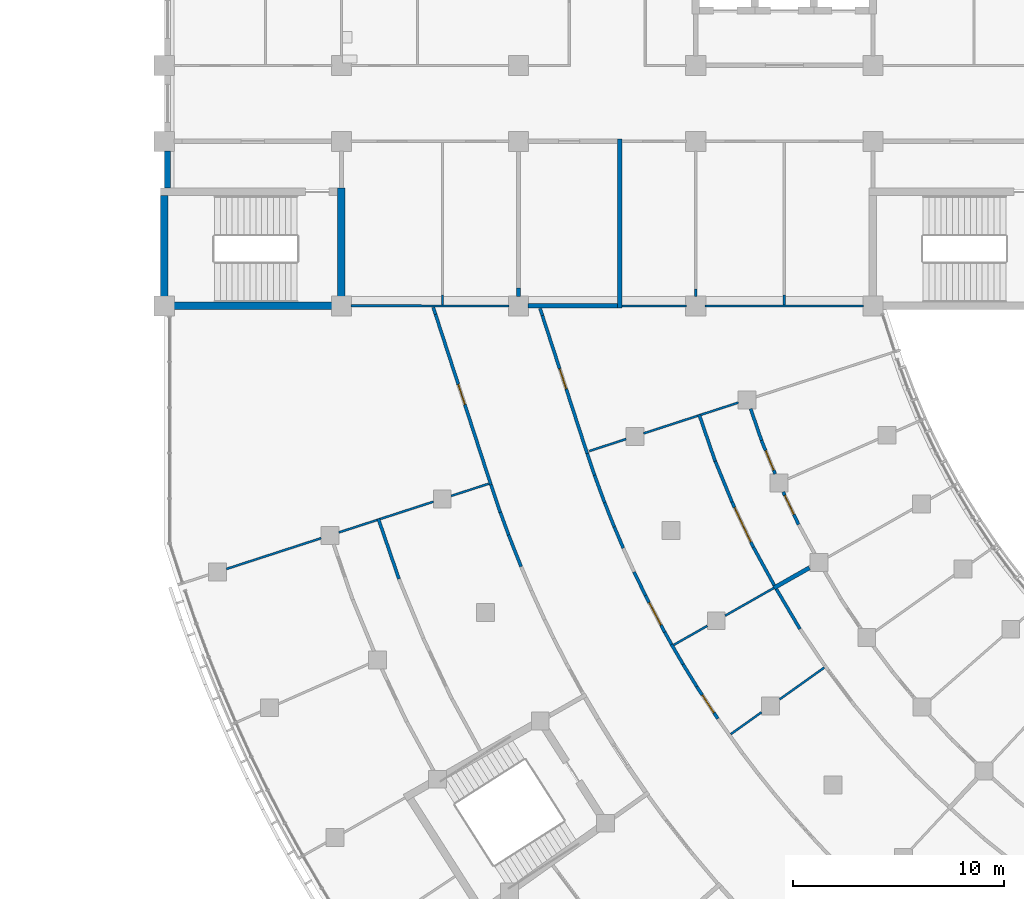
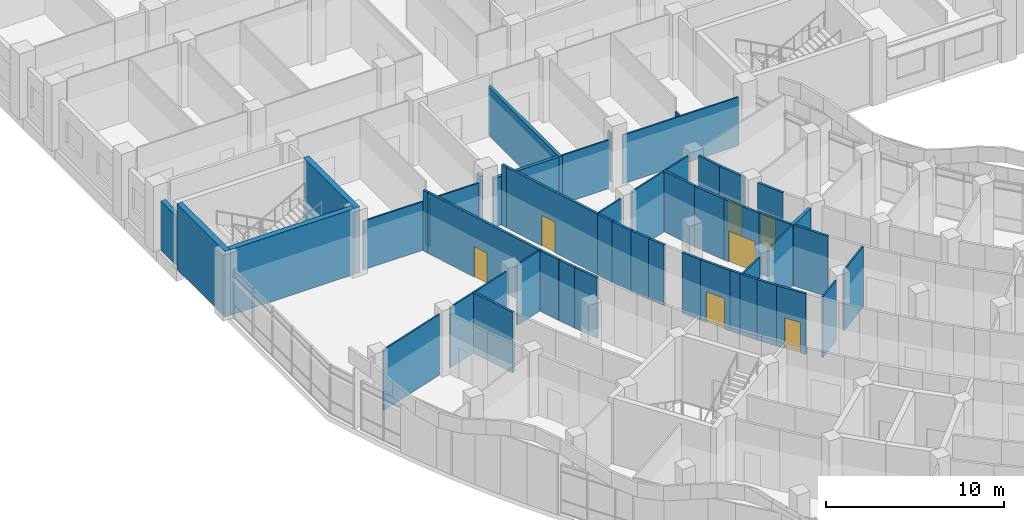
# One storey, part 66 of 136: 49 walls, 7 doors, 7 openings.
"""IFC4 building model written with IfcOpenShell, lengths in metres."""

import ifcopenshell
import ifcopenshell.guid

model = None  # the IFC model being written
_history = None  # IfcOwnerHistory: only IFC2X3 demands one
_inside = {}  # id of a spatial element -> (the spatial element, [elements in it])
_under = {}  # id of a project, library or spatial element -> (it, [spatial elements below it])
_declared = {}  # id of a project -> (the project, [libraries it declares])
_typed = {}  # id of a type object -> (the type object, [elements of that type])
_made_of = {}  # id of a material, layer set ... -> (it, [elements and type objects made of it])


def new_model(schema):
    """Start an empty IFC model of exactly this schema.

    Asked for "IFC4X3", IfcOpenShell would pick the latest addendum, in which some entities
    have other attributes; the version numbers below select the first issue.
    IFC2X3 requires an IfcOwnerHistory on every rooted entity: one is made here for all.
    """
    global model, _history
    if schema == "IFC4X3":
        model = ifcopenshell.file(schema_version=(4, 3, 0, 0))
    else:
        model = ifcopenshell.file(schema=schema)
    _inside.clear()
    _under.clear()
    _declared.clear()
    _typed.clear()
    _made_of.clear()
    _history = None
    if model.schema == "IFC2X3":
        org = make("IfcOrganization", Name="unknown")
        user = make(
            "IfcPersonAndOrganization",
            ThePerson=make("IfcPerson", FamilyName="unknown"),
            TheOrganization=org,
        )
        app = make(
            "IfcApplication",
            ApplicationDeveloper=org,
            Version="unknown",
            ApplicationFullName="unknown",
            ApplicationIdentifier="unknown",
        )
        _history = make(
            "IfcOwnerHistory",
            OwningUser=user,
            OwningApplication=app,
            ChangeAction="ADDED",
            CreationDate=0,
        )
    return model


def make(cls, **values):
    """One entity of the class cls with the attributes given. An attribute that is None is left unset."""
    return model.create_entity(
        cls, **{name: value for name, value in values.items() if value is not None}
    )


def rooted(cls, **values):
    """An entity with a GlobalId (a new one), such as an element, a storey or a relation."""
    return make(cls, GlobalId=ifcopenshell.guid.new(), OwnerHistory=_history, **values)


def si_unit(unit_type, name, prefix=None):
    """IfcSIUnit, for example si_unit("LENGTHUNIT", "METRE", prefix="MILLI")."""
    return make("IfcSIUnit", UnitType=unit_type, Prefix=prefix, Name=name)


def assignment(units):
    """IfcUnitAssignment: the units of a project."""
    return None if units is None else make("IfcUnitAssignment", Units=units)


def point(xyz):
    """IfcCartesianPoint."""
    return None if xyz is None else make("IfcCartesianPoint", Coordinates=xyz)


def direction(xyz):
    """IfcDirection."""
    return None if xyz is None else make("IfcDirection", DirectionRatios=xyz)


def frame(location, z_axis=None, x_axis=None):
    """IfcAxis2Placement3D, a coordinate frame: its origin and axes. An axis left out is left unset."""
    return make(
        "IfcAxis2Placement3D",
        Location=point(location),
        Axis=direction(z_axis),
        RefDirection=direction(x_axis),
    )


def frame_2d(location, x_axis=None):
    """IfcAxis2Placement2D, a coordinate frame in the plane: its origin and x axis."""
    return make(
        "IfcAxis2Placement2D", Location=point(location), RefDirection=direction(x_axis)
    )


def origin():
    """The frame at (0, 0, 0) with its axes left unset."""
    return frame((0.0, 0.0, 0.0))


def place(relative_to, where):
    """IfcLocalPlacement: puts the frame where relative to a parent placement (None: the world)."""
    return make(
        "IfcLocalPlacement", PlacementRelTo=relative_to, RelativePlacement=where
    )


def context(
    kind, dimensions, precision=None, world=None, true_north=None, identifier=None
):
    """IfcGeometricRepresentationContext, for example the 3D "Model" context."""
    return make(
        "IfcGeometricRepresentationContext",
        ContextIdentifier=identifier,
        ContextType=kind,
        CoordinateSpaceDimension=dimensions,
        Precision=precision,
        WorldCoordinateSystem=world,
        TrueNorth=true_north,
    )


def subcontext(parent, identifier, kind, view, scale=None):
    """IfcGeometricRepresentationSubContext, for example "Body" below "Model"."""
    return make(
        "IfcGeometricRepresentationSubContext",
        ContextIdentifier=identifier,
        ContextType=kind,
        ParentContext=parent,
        TargetScale=scale,
        TargetView=view,
    )


def project(units=None, contexts=None):
    """IfcProject with its units and contexts."""
    return rooted(
        "IfcProject",
        Name="project",
        RepresentationContexts=contexts,
        UnitsInContext=assignment(units),
    )


def spatial(cls, under=None, at=None, **own):
    """A site, building, storey or space (cls), placed at a placement, below another one or the project."""
    s = rooted(cls, ObjectPlacement=at, **own)
    if under is not None:
        _under.setdefault(under.id(), (under, []))[1].append(s)
    return s


def profile(cls, at=None, kind="AREA", **sizes):
    """A parametric profile (cls). Its sizes go by their IFC names, for example OverallWidth=200.0."""
    return make(cls, ProfileType=kind, Position=at, **sizes)


def rectangle(**sizes):
    """IfcRectangleProfileDef."""
    return profile("IfcRectangleProfileDef", **sizes)


def extrude(swept, where, along, depth):
    """IfcExtrudedAreaSolid: the profile swept, set in the frame where, extruded along a direction by depth."""
    return make(
        "IfcExtrudedAreaSolid",
        SweptArea=swept,
        Position=where,
        ExtrudedDirection=direction(along),
        Depth=depth,
    )


def shape(context_of_items, identifier, shape_type, items):
    """IfcShapeRepresentation: the items that make up one representation, for example the "Body"."""
    return make(
        "IfcShapeRepresentation",
        ContextOfItems=context_of_items,
        RepresentationIdentifier=identifier,
        RepresentationType=shape_type,
        Items=items,
    )


def material(Name=None, Category=None):
    """IfcMaterial."""
    return make("IfcMaterial", Name=Name, Category=Category)


def layer(
    of_material, thickness, ventilated=None, Name=None, Category=None, Priority=None
):
    """IfcMaterialLayer: one layer of a wall or slab, of a material (None: an air gap)."""
    return make(
        "IfcMaterialLayer",
        Material=of_material,
        LayerThickness=thickness,
        IsVentilated=ventilated,
        Name=Name,
        Category=Category,
        Priority=Priority,
    )


def layer_set(layers, Name=None):
    """IfcMaterialLayerSet."""
    return make("IfcMaterialLayerSet", MaterialLayers=layers, LayerSetName=Name)


def made_of(thing, what):
    """Note that an element or type object is made of a material, layer set ...; save() writes the relation."""
    if what is not None:
        _made_of.setdefault(what.id(), (what, []))[1].append(thing)
    return thing


def type_object(cls, material=None, **own):
    """A type object (cls), such as IfcWallType, which elements share."""
    return made_of(rooted(cls, **own), material)


def element(
    cls,
    number,
    at=None,
    inside=None,
    cuts=None,
    type_object=None,
    material=None,
    context=None,
    identifier="Body",
    shape_type=None,
    held_by="IfcProductDefinitionShape",
    body=None,
    shapes=None,
    **own,
):
    """One element of the class cls, such as IfcWall. Its Tag is "e" and its number.

    at: its placement. inside: the storey or other place that contains it. cuts: it is an
    opening in that element (IfcRelVoidsElement). A single representation is given by context,
    identifier, shape_type and body (its items); several are given by shapes. held_by: the class
    of the entity that holds the representations. save() writes the other relations.
    """
    e = rooted(cls, Tag="e%d" % number, ObjectPlacement=at, **own)
    if body is not None:
        shapes = [shape(context, identifier, shape_type, body)]
    if shapes is not None:
        e.Representation = make(held_by, Representations=shapes)
    if inside is not None:
        _inside.setdefault(inside.id(), (inside, []))[1].append(e)
    if cuts is not None:
        rooted(
            "IfcRelVoidsElement", RelatingBuildingElement=cuts, RelatedOpeningElement=e
        )
    if type_object is not None:
        _typed.setdefault(type_object.id(), (type_object, []))[1].append(e)
    return made_of(e, material)


def fill(opening, filler):
    """IfcRelFillsElement: the door or window that sits in an opening."""
    return rooted(
        "IfcRelFillsElement",
        RelatingOpeningElement=opening,
        RelatedBuildingElement=filler,
    )


def aggregate(whole, parts):
    """IfcRelAggregates: a whole, such as a stair, and the parts it consists of."""
    return rooted("IfcRelAggregates", RelatingObject=whole, RelatedObjects=parts)


def save(model, path):
    """Write the relations noted so far, then the file.

    IfcRelAggregates (storeys below a building ...), IfcRelContainedInSpatialStructure (elements
    in a storey), IfcRelDefinesByType, IfcRelAssociatesMaterial and IfcRelDeclares: one each for
    every whole, place, type object, material and project.
    """
    for whole, parts in _under.values():
        aggregate(whole, parts)
    for where, things in _inside.values():
        rooted(
            "IfcRelContainedInSpatialStructure",
            RelatedElements=things,
            RelatingStructure=where,
        )
    for kind, things in _typed.values():
        rooted("IfcRelDefinesByType", RelatedObjects=things, RelatingType=kind)
    for what, things in _made_of.values():
        rooted("IfcRelAssociatesMaterial", RelatedObjects=things, RelatingMaterial=what)
    for by, libraries in _declared.values():
        rooted("IfcRelDeclares", RelatingContext=by, RelatedDefinitions=libraries)
    model.write(path)


model = new_model("IFC4")

# Units and contexts
model_context = context("Model", 3, precision=1e-05, world=origin(), true_north=direction((0.0, 1.0)))
body_context = subcontext(model_context, "Body", "Model", "MODEL_VIEW")
ifc_project = project(units=[si_unit("LENGTHUNIT", "METRE"), si_unit("AREAUNIT", "SQUARE_METRE"), si_unit("VOLUMEUNIT", "CUBIC_METRE"), si_unit("PLANEANGLEUNIT", "RADIAN"), si_unit("MASSUNIT", "GRAM", prefix="KILO")], contexts=[model_context])

# Site, building, storey
site_placement = place(None, origin())
site = spatial("IfcSite", under=ifc_project, at=site_placement, CompositionType="ELEMENT")
building_placement = place(site_placement, origin())
building = spatial("IfcBuilding", under=site, at=building_placement, Name="Bougainvillea Quay General Hospital", CompositionType="ELEMENT")
storey_placement = place(building_placement, frame((0.0, 0.0, 5.39990234375)))
storey = spatial("IfcBuildingStorey", under=building, at=storey_placement, Name="L01", CompositionType="ELEMENT", Elevation=5.39990234375)

# Walls
ifc_material_1 = material(Name="Terracotta rainscreen cladding on insulated masonry backing, terracotta", Category="masonry")
ifc_layer_1 = layer(ifc_material_1, 0.300048828125)
ifc_layer_set_1 = layer_set([ifc_layer_1], Name="Terracotta rainscreen cladding on insulated masonry backing, terracotta")
wall_type_1 = type_object("IfcWallType", Name="External wall terracotta rainscreen 300", PredefinedType="STANDARD", material=ifc_layer_set_1)
wall_1_placement = place(storey_placement, frame((42.14990234375, 124.949951171875, 0.0), z_axis=(0.0, 0.0, 1.0), x_axis=(0.0, -1.0, 0.0)))
element("IfcWall", 1, at=wall_1_placement, inside=storey, type_object=wall_type_1, Name="External wall wall/V4/L01/p0/10g", PredefinedType="STANDARD", context=body_context, shape_type="SweptSolid", body=[
    extrude(rectangle(XDim=1.77490234375, YDim=0.300048828125, at=frame_2d((0.887451171875, 0.0))), origin(), (0.0, 0.0, 1.0), 3.35009765625),
])
ifc_material_2 = material(Name="Gypsum board partition on steel studs", Category="steel")
ifc_layer_2 = layer(ifc_material_2, 0.10009765625)
ifc_layer_set_2 = layer_set([ifc_layer_2], Name="Gypsum board partition on steel studs")
wall_type_2 = type_object("IfcWallType", Name="Partition 100 Gypsum board partition", PredefinedType="PARTITIONING", material=ifc_layer_set_2)
wall_2_placement = place(storey_placement, frame((75.14990234375, 117.597900390625, 0.0), z_axis=(0.0, 0.0, 1.0), x_axis=(-1.0, 0.0, 0.0)))
element("IfcWall", 2, at=wall_2_placement, inside=storey, type_object=wall_type_2, Name="Partition 100 mm", PredefinedType="PARTITIONING", context=body_context, shape_type="SweptSolid", body=[
    extrude(rectangle(XDim=7.5, YDim=0.10009765625, at=frame_2d((3.75, 0.0))), origin(), (0.0, 0.0, 1.0), 3.330078125),
])
wall_3_placement = place(storey_placement, frame((66.75, 117.597900390625, 0.0), z_axis=(0.0, 0.0, 1.0), x_axis=(-1.0, 0.0, 0.0)))
element("IfcWall", 3, at=wall_3_placement, inside=storey, type_object=wall_type_2, Name="Partition 100 mm", PredefinedType="PARTITIONING", context=body_context, shape_type="SweptSolid", body=[
    extrude(rectangle(XDim=3.052001953125, YDim=0.10009765625, at=frame_2d((1.52587890625, 0.0))), origin(), (0.0, 0.0, 1.0), 3.330078125),
])
wall_4_placement = place(storey_placement, frame((58.35009765625, 117.59814453125, 0.0), z_axis=(0.0, 0.0, 1.0), x_axis=(-0.999999974039, 0.000227864577, 0.0)))
element("IfcWall", 4, at=wall_4_placement, inside=storey, type_object=wall_type_2, Name="Partition 100 mm", PredefinedType="PARTITIONING", context=body_context, shape_type="SweptSolid", body=[
    extrude(rectangle(XDim=7.5, YDim=0.10009765625, at=frame_2d((3.75, 0.0))), origin(), (0.0, 0.0, 1.0), 3.330078125),
])
wall_5_placement = place(storey_placement, frame((55.197998046875, 117.64892578125, 0.0), z_axis=(0.0, 0.0, 1.0), x_axis=(0.0, 1.0, 0.0)))
element("IfcWall", 5, at=wall_5_placement, inside=storey, type_object=wall_type_2, Name="Partition 100 mm", PredefinedType="PARTITIONING", context=body_context, shape_type="SweptSolid", body=[
    extrude(rectangle(XDim=0.451171875, YDim=0.10009765625, at=frame_2d((0.2255859375, 0.0))), origin(), (0.0, 0.0, 1.0), 3.330078125),
])
wall_6_placement = place(storey_placement, frame((67.197998046875, 118.050048828125, 0.0), z_axis=(0.0, 0.0, 1.0), x_axis=(0.0, 1.0, 0.0)))
element("IfcWall", 6, at=wall_6_placement, inside=storey, type_object=wall_type_2, Name="Partition 100 mm", PredefinedType="PARTITIONING", context=body_context, shape_type="SweptSolid", body=[
    extrude(rectangle(XDim=0.349853515625, YDim=0.10009765625, at=frame_2d((0.1748046875, 0.0))), origin(), (0.0, 0.0, 1.0), 3.330078125),
])
wall_7_placement = place(storey_placement, frame((71.39794921875, 117.64794921875, 0.0), z_axis=(0.0, 0.0, 1.0), x_axis=(0.0, 1.0, 0.0)))
element("IfcWall", 7, at=wall_7_placement, inside=storey, type_object=wall_type_2, Name="Partition 100 mm", PredefinedType="PARTITIONING", context=body_context, shape_type="SweptSolid", body=[
    extrude(rectangle(XDim=0.4521484375, YDim=0.10009765625, at=frame_2d((0.22607421875, 0.0))), origin(), (0.0, 0.0, 1.0), 3.330078125),
])
ifc_layer_3 = layer(ifc_material_2, 0.10009765625)
ifc_layer_set_3 = layer_set([ifc_layer_3], Name="Gypsum board partition on steel studs")
wall_type_3 = type_object("IfcWallType", Name="Partition 100 Gypsum board partition EI 30", PredefinedType="PARTITIONING", material=ifc_layer_set_3)
wall_8_placement = place(storey_placement, frame((44.945068359375, 105.122314453125, 0.0), z_axis=(0.0, 0.0, 1.0), x_axis=(0.95107316225, 0.308965758699, 0.0)))
element("IfcWall", 8, at=wall_8_placement, inside=storey, type_object=wall_type_3, Name="Partition 100 mm EI 30", PredefinedType="PARTITIONING", context=body_context, shape_type="SweptSolid", body=[
    extrude(rectangle(XDim=4.72607421875, YDim=0.10009765625, at=frame_2d((2.363037109375, 0.0))), origin(), (0.0, 0.0, 1.0), 4.150146484375),
])
wall_9_placement = place(storey_placement, frame((50.27001953125, 106.852294921875, 0.0), z_axis=(0.0, 0.0, 1.0), x_axis=(0.951077706574, 0.308951769792, 0.0)))
element("IfcWall", 9, at=wall_9_placement, inside=storey, type_object=wall_type_3, Name="Partition 100 mm EI 30", PredefinedType="PARTITIONING", context=body_context, shape_type="SweptSolid", body=[
    extrude(rectangle(XDim=4.72705078125, YDim=0.10009765625, at=frame_2d((2.363525390625, 0.0))), origin(), (0.0, 0.0, 1.0), 4.150146484375),
])
wall_10_placement = place(storey_placement, frame((55.59619140625, 108.58251953125, 0.0), z_axis=(0.0, 0.0, 1.0), x_axis=(0.951087292219, 0.308922259768, 0.0)))
element("IfcWall", 10, at=wall_10_placement, inside=storey, type_object=wall_type_3, Name="Partition 100 mm EI 30", PredefinedType="PARTITIONING", context=body_context, shape_type="SweptSolid", body=[
    extrude(rectangle(XDim=1.88720703125, YDim=0.10009765625, at=frame_2d((0.943603515625, 0.0))), origin(), (0.0, 0.0, 1.0), 4.150146484375),
])
wall_11_placement = place(storey_placement, frame((62.159423828125, 110.7158203125, 0.0), z_axis=(0.0, 0.0, 1.0), x_axis=(0.951101847275, 0.308877445129, 0.0)))
element("IfcWall", 11, at=wall_11_placement, inside=storey, type_object=wall_type_3, Name="Partition 100 mm EI 30", PredefinedType="PARTITIONING", context=body_context, shape_type="SweptSolid", body=[
    extrude(rectangle(XDim=1.825927734375, YDim=0.10009765625, at=frame_2d((0.9130859375, 0.0))), origin(), (0.0, 0.0, 1.0), 4.150146484375),
])
wall_12_placement = place(storey_placement, frame((64.72607421875, 111.549560546875, 0.0), z_axis=(0.0, 0.0, 1.0), x_axis=(0.951062529891, 0.308998485818, 0.0)))
element("IfcWall", 12, at=wall_12_placement, inside=storey, type_object=wall_type_3, Name="Partition 100 mm EI 30", PredefinedType="PARTITIONING", context=body_context, shape_type="SweptSolid", body=[
    extrude(rectangle(XDim=4.727294921875, YDim=0.10009765625, at=frame_2d((2.36376953125, 0.0))), origin(), (0.0, 0.0, 1.0), 4.150146484375),
])
wall_13_placement = place(storey_placement, frame((66.152587890625, 101.518310546875, 0.0), z_axis=(0.0, 0.0, 1.0), x_axis=(0.869297970102, 0.494288416997, 0.0)))
element("IfcWall", 13, at=wall_13_placement, inside=storey, type_object=wall_type_3, Name="Partition 100 mm EI 30", PredefinedType="PARTITIONING", context=body_context, shape_type="SweptSolid", body=[
    extrude(rectangle(XDim=1.833984375, YDim=0.10009765625, at=frame_2d((0.9169921875, 0.0))), origin(), (0.0, 0.0, 1.0), 4.150146484375),
])
wall_14_placement = place(storey_placement, frame((68.59521484375, 102.907470703125, 0.0), z_axis=(0.0, 0.0, 1.0), x_axis=(0.869270757215, 0.494336272846, 0.0)))
element("IfcWall", 14, at=wall_14_placement, inside=storey, type_object=wall_type_3, Name="Partition 100 mm EI 30", PredefinedType="PARTITIONING", context=body_context, shape_type="SweptSolid", body=[
    extrude(rectangle(XDim=2.656005859375, YDim=0.10009765625, at=frame_2d((1.328125, 0.0))), origin(), (0.0, 0.0, 1.0), 4.150146484375),
])
wall_15_placement = place(storey_placement, frame((68.860595703125, 97.2900390625, 0.0), z_axis=(0.0, 0.0, 1.0), x_axis=(0.814701484378, 0.5798805837, 0.0)))
element("IfcWall", 15, at=wall_15_placement, inside=storey, type_object=wall_type_3, Name="Partition 100 mm EI 30", PredefinedType="PARTITIONING", context=body_context, shape_type="SweptSolid", body=[
    extrude(rectangle(XDim=1.787109375, YDim=0.10009765625, at=frame_2d((0.8935546875, 0.0))), origin(), (0.0, 0.0, 1.0), 4.150146484375),
])
wall_16_placement = place(storey_placement, frame((71.17333984375, 98.936279296875, 0.0), z_axis=(0.0, 0.0, 1.0), x_axis=(0.814672160951, 0.579921779355, 0.0)))
element("IfcWall", 16, at=wall_16_placement, inside=storey, type_object=wall_type_3, Name="Partition 100 mm EI 30", PredefinedType="PARTITIONING", context=body_context, shape_type="SweptSolid", body=[
    extrude(rectangle(XDim=2.597900390625, YDim=0.10009765625, at=frame_2d((1.298828125, 0.0))), origin(), (0.0, 0.0, 1.0), 4.150146484375),
])
ifc_material_3 = material(Name="Gypsum board partition on steel studs, insulated", Category="steel")
ifc_layer_4 = layer(ifc_material_3, 0.14990234375)
ifc_layer_set_4 = layer_set([ifc_layer_4], Name="Gypsum board partition on steel studs, insulated")
wall_type_4 = type_object("IfcWallType", Name="Partition 150 Gypsum board partition EI 30", PredefinedType="PARTITIONING", material=ifc_layer_set_4)
wall_17_placement = place(storey_placement, frame((54.75390625, 117.526123046875, 0.0), z_axis=(0.0, 0.0, 1.0), x_axis=(0.309101849499, -0.951028941009, 0.0)))
element("IfcWall", 17, at=wall_17_placement, inside=storey, type_object=wall_type_4, Name="Partition 150 mm EI 30", PredefinedType="PARTITIONING", context=body_context, shape_type="SweptSolid", body=[
    extrude(rectangle(XDim=0.349853515625, YDim=0.14990234375, at=frame_2d((0.1748046875, 0.0))), origin(), (0.0, 0.0, 1.0), 4.150146484375),
])

# Wall, opening, door
wall_18_placement = place(storey_placement, frame((54.862060546875, 117.193359375, 0.0), z_axis=(0.0, 0.0, 1.0), x_axis=(0.309024959782, -0.951053928141, 0.0)))
wall_18 = element("IfcWall", 18, at=wall_18_placement, inside=storey, type_object=wall_type_4, Name="Partition 150 mm EI 30", PredefinedType="PARTITIONING", context=body_context, shape_type="SweptSolid", body=[
    extrude(rectangle(XDim=8.4912109375, YDim=0.14990234375, at=frame_2d((4.24560546875, 0.0))), origin(), (0.0, 0.0, 1.0), 4.150146484375),
])
opening_1_placement = place(wall_18_placement, frame((3.494384765625, 0.0, 0.0)))
opening_1 = element("IfcOpeningElement", 19, at=opening_1_placement, cuts=wall_18, Name="Opening L01.253", PredefinedType="OPENING", context=body_context, shape_type="SweptSolid", body=[
    extrude(rectangle(XDim=1.0, YDim=2.10009765625, at=frame_2d((0.5, 1.050048828125))), frame((0.0, 0.0849609375, 0.0), z_axis=(0.0, -1.0, 0.0), x_axis=(1.0, 0.0, 0.0)), (0.0, 0.0, 1.0), 0.169921875),
])
ifc_material_4 = material(Name="Solid-core timber door leaf in steel frame", Category="steel")
door_type_1 = type_object("IfcDoorType", Name="Single leaf door 1000x2100 FD30S", OperationType="NOTDEFINED", PredefinedType="DOOR", material=ifc_material_4)
door_1_placement = place(opening_1_placement, frame((1.0, 0.0, 0.0), z_axis=(0.0, 0.0, 1.0), x_axis=(-1.0, 0.0, 0.0)))
door_1 = element("IfcDoor", 20, at=door_1_placement, inside=storey, type_object=door_type_1, Name="DT15 L01.253", OperationType="SINGLE_SWING_RIGHT", OverallHeight=2.10009765625, OverallWidth=1.0, PredefinedType="DOOR", context=body_context, shape_type="SweptSolid", body=[
    extrude(rectangle(XDim=1.0, YDim=2.10009765625, at=frame_2d((0.5, 1.050048828125))), frame((0.0, 0.02490234375, 0.0), z_axis=(0.0, -1.0, 0.0), x_axis=(1.0, 0.0, 0.0)), (0.0, 0.0, 1.0), 0.050048828125),
])
fill(opening_1, door_1)

# Wall
wall_19_placement = place(storey_placement, frame((59.8173828125, 117.475341796875, 0.0), z_axis=(0.0, 0.0, 1.0), x_axis=(0.309527412635, -0.950890519896, 0.0)))
element("IfcWall", 21, at=wall_19_placement, inside=storey, type_object=wall_type_4, Name="Partition 150 mm EI 30", PredefinedType="PARTITIONING", context=body_context, shape_type="SweptSolid", body=[
    extrude(rectangle(XDim=0.35009765625, YDim=0.14990234375, at=frame_2d((0.175048828125, 0.0))), origin(), (0.0, 0.0, 1.0), 4.150146484375),
])

# Wall, opening, door
wall_20_placement = place(storey_placement, frame((59.92578125, 117.142333984375, 0.0), z_axis=(0.0, 0.0, 1.0), x_axis=(0.309061990915, -0.951041894856, 0.0)))
wall_20 = element("IfcWall", 22, at=wall_20_placement, inside=storey, type_object=wall_type_4, Name="Partition 150 mm EI 30", PredefinedType="PARTITIONING", context=body_context, shape_type="SweptSolid", body=[
    extrude(rectangle(XDim=6.877197265625, YDim=0.14990234375, at=frame_2d((3.4384765625, 0.0))), origin(), (0.0, 0.0, 1.0), 4.150146484375),
])
opening_2_placement = place(wall_20_placement, frame((2.66064453125, 0.0, 0.0)))
opening_2 = element("IfcOpeningElement", 23, at=opening_2_placement, cuts=wall_20, Name="Opening L01.264", PredefinedType="OPENING", context=body_context, shape_type="SweptSolid", body=[
    extrude(rectangle(XDim=1.0, YDim=2.10009765625, at=frame_2d((0.5, 1.050048828125))), frame((0.0, 0.0849609375, 0.0), z_axis=(0.0, -1.0, 0.0), x_axis=(1.0, 0.0, 0.0)), (0.0, 0.0, 1.0), 0.169921875),
])
door_2_placement = place(opening_2_placement, origin())
door_2 = element("IfcDoor", 24, at=door_2_placement, inside=storey, type_object=door_type_1, Name="DT15 L01.264", OperationType="SINGLE_SWING_LEFT", OverallHeight=2.10009765625, OverallWidth=1.0, PredefinedType="DOOR", context=body_context, shape_type="SweptSolid", body=[
    extrude(rectangle(XDim=1.0, YDim=2.10009765625, at=frame_2d((0.5, 1.050048828125))), frame((0.0, 0.02490234375, 0.0), z_axis=(0.0, -1.0, 0.0), x_axis=(1.0, 0.0, 0.0)), (0.0, 0.0, 1.0), 0.050048828125),
])
fill(opening_2, door_2)

# Wall
wall_21_placement = place(storey_placement, frame((52.146728515625, 107.51025390625, 0.0), z_axis=(0.0, 0.0, 1.0), x_axis=(0.324772605422, -0.945792130844, 0.0)))
element("IfcWall", 25, at=wall_21_placement, inside=storey, type_object=wall_type_4, Name="Partition 150 mm EI 30", PredefinedType="PARTITIONING", context=body_context, shape_type="SweptSolid", body=[
    extrude(rectangle(XDim=3.021240234375, YDim=0.14990234375, at=frame_2d((1.5107421875, 0.0))), origin(), (0.0, 0.0, 1.0), 4.150146484375),
])

# Wall, opening, door
wall_22_placement = place(storey_placement, frame((68.9150390625, 108.30078125, 0.0), z_axis=(0.0, 0.0, 1.0), x_axis=(0.426631335289, -0.904425620905, 0.0)))
wall_22 = element("IfcWall", 26, at=wall_22_placement, inside=storey, type_object=wall_type_4, Name="Partition 150 mm EI 30", PredefinedType="PARTITIONING", context=body_context, shape_type="SweptSolid", body=[
    extrude(rectangle(XDim=2.381103515625, YDim=0.14990234375, at=frame_2d((1.1904296875, 0.0))), origin(), (0.0, 0.0, 1.0), 4.150146484375),
])
opening_3_placement = place(wall_22_placement, frame((0.29052734375, 0.0, 0.0)))
opening_3 = element("IfcOpeningElement", 27, at=opening_3_placement, cuts=wall_22, Name="Opening L01.228", PredefinedType="OPENING", context=body_context, shape_type="SweptSolid", body=[
    extrude(rectangle(XDim=1.800048828125, YDim=2.10009765625, at=frame_2d((0.89990234375, 1.050048828125))), frame((0.0, 0.0849609375, 0.0), z_axis=(0.0, -1.0, 0.0), x_axis=(1.0, 0.0, 0.0)), (0.0, 0.0, 1.0), 0.169921875),
])
ifc_material_5 = material(Name="Solid-core timber door leaves in steel frame", Category="steel")
door_type_2 = type_object("IfcDoorType", Name="Double leaf door 1800x2100", OperationType="DOUBLE_DOOR_SINGLE_SWING", PredefinedType="DOOR", material=ifc_material_5)
door_3_placement = place(opening_3_placement, origin())
door_3 = element("IfcDoor", 28, at=door_3_placement, inside=storey, type_object=door_type_2, Name="DT08 L01.228", OperationType="DOUBLE_DOOR_SINGLE_SWING", OverallHeight=2.10009765625, OverallWidth=1.800048828125, PredefinedType="DOOR", context=body_context, shape_type="SweptSolid", body=[
    extrude(rectangle(XDim=1.800048828125, YDim=2.10009765625, at=frame_2d((0.89990234375, 1.050048828125))), frame((0.0, 0.02490234375, 0.0), z_axis=(0.0, -1.0, 0.0), x_axis=(1.0, 0.0, 0.0)), (0.0, 0.0, 1.0), 0.050048828125),
])
fill(opening_3, door_3)

# Walls
wall_23_placement = place(storey_placement, frame((71.021484375, 104.1708984375, 0.0), z_axis=(0.0, 0.0, 1.0), x_axis=(0.50873677225, -0.860922119916, 0.0)))
element("IfcWall", 29, at=wall_23_placement, inside=storey, type_object=wall_type_4, Name="Partition 150 mm EI 30", PredefinedType="PARTITIONING", context=body_context, shape_type="SweptSolid", body=[
    extrude(rectangle(XDim=2.205078125, YDim=0.14990234375, at=frame_2d((1.1025390625, 0.0))), origin(), (0.0, 0.0, 1.0), 4.150146484375),
])
wall_24_placement = place(storey_placement, frame((67.356689453125, 112.453369140625, 0.0), z_axis=(0.0, 0.0, 1.0), x_axis=(0.32494944972, -0.94573138635, 0.0)))
element("IfcWall", 30, at=wall_24_placement, inside=storey, type_object=wall_type_4, Name="Partition 150 mm EI 30", PredefinedType="PARTITIONING", context=body_context, shape_type="SweptSolid", body=[
    extrude(rectangle(XDim=2.356201171875, YDim=0.14990234375, at=frame_2d((1.17822265625, 0.0))), origin(), (0.0, 0.0, 1.0), 4.150146484375),
])
wall_25_placement = place(storey_placement, frame((69.93310546875, 106.153076171875, 0.0), z_axis=(0.0, 0.0, 1.0), x_axis=(0.479964929401, -0.877287676047, 0.0)))
element("IfcWall", 31, at=wall_25_placement, inside=storey, type_object=wall_type_4, Name="Partition 150 mm EI 30", PredefinedType="PARTITIONING", context=body_context, shape_type="SweptSolid", body=[
    extrude(rectangle(XDim=2.05908203125, YDim=0.14990234375, at=frame_2d((1.029541015625, 0.0))), origin(), (0.0, 0.0, 1.0), 4.150146484375),
])
wall_26_placement = place(storey_placement, frame((68.125, 110.230712890625, 0.0), z_axis=(0.0, 0.0, 1.0), x_axis=(0.38056168262, -0.924755538357, 0.0)))
element("IfcWall", 32, at=wall_26_placement, inside=storey, type_object=wall_type_4, Name="Partition 150 mm EI 30", PredefinedType="PARTITIONING", context=body_context, shape_type="SweptSolid", body=[
    extrude(rectangle(XDim=2.0888671875, YDim=0.14990234375, at=frame_2d((1.04443359375, 0.0))), origin(), (0.0, 0.0, 1.0), 4.150146484375),
])

# Wall, opening, door
wall_27_placement = place(storey_placement, frame((71.345703125, 108.7705078125, 0.0), z_axis=(0.0, 0.0, 1.0), x_axis=(0.42702903496, -0.904237912997, 0.0)))
wall_27 = element("IfcWall", 33, at=wall_27_placement, inside=storey, type_object=wall_type_4, Name="Partition 150 mm EI 30", PredefinedType="PARTITIONING", context=body_context, shape_type="SweptSolid", body=[
    extrude(rectangle(XDim=1.707763671875, YDim=0.14990234375, at=frame_2d((0.85400390625, 0.0))), origin(), (0.0, 0.0, 1.0), 4.150146484375),
])
opening_4_placement = place(wall_27_placement, frame((0.177978515625, 0.0, 0.0)))
opening_4 = element("IfcOpeningElement", 34, at=opening_4_placement, cuts=wall_27, Name="Opening L01.265", PredefinedType="OPENING", context=body_context, shape_type="SweptSolid", body=[
    extrude(rectangle(XDim=1.0, YDim=2.10009765625, at=frame_2d((0.5, 1.050048828125))), frame((0.0, 0.0849609375, 0.0), z_axis=(0.0, -1.0, 0.0), x_axis=(1.0, 0.0, 0.0)), (0.0, 0.0, 1.0), 0.169921875),
])
door_4_placement = place(opening_4_placement, origin())
door_4 = element("IfcDoor", 35, at=door_4_placement, inside=storey, type_object=door_type_1, Name="DT15 L01.265", OperationType="SINGLE_SWING_LEFT", OverallHeight=2.10009765625, OverallWidth=1.0, PredefinedType="DOOR", context=body_context, shape_type="SweptSolid", body=[
    extrude(rectangle(XDim=1.0, YDim=2.10009765625, at=frame_2d((0.5, 1.050048828125))), frame((0.0, 0.02490234375, 0.0), z_axis=(0.0, -1.0, 0.0), x_axis=(1.0, 0.0, 0.0)), (0.0, 0.0, 1.0), 0.050048828125),
])
fill(opening_4, door_4)

wall_28_placement = place(storey_placement, frame((70.3115234375, 111.222412109375, 0.0), z_axis=(0.0, 0.0, 1.0), x_axis=(0.380150665177, -0.924924576258, 0.0)))
wall_28 = element("IfcWall", 36, at=wall_28_placement, inside=storey, type_object=wall_type_4, Name="Partition 150 mm EI 30", PredefinedType="PARTITIONING", context=body_context, shape_type="SweptSolid", body=[
    extrude(rectangle(XDim=1.7216796875, YDim=0.14990234375, at=frame_2d((0.86083984375, 0.0))), origin(), (0.0, 0.0, 1.0), 4.150146484375),
])
opening_5_placement = place(wall_28_placement, frame((0.52978515625, 0.0, 0.0)))
opening_5 = element("IfcOpeningElement", 37, at=opening_5_placement, cuts=wall_28, Name="Opening L01.266", PredefinedType="OPENING", context=body_context, shape_type="SweptSolid", body=[
    extrude(rectangle(XDim=1.0, YDim=2.10009765625, at=frame_2d((0.5, 1.050048828125))), frame((0.0, 0.0849609375, 0.0), z_axis=(0.0, -1.0, 0.0), x_axis=(1.0, 0.0, 0.0)), (0.0, 0.0, 1.0), 0.169921875),
])
door_5_placement = place(opening_5_placement, origin())
door_5 = element("IfcDoor", 38, at=door_5_placement, inside=storey, type_object=door_type_1, Name="DT15 L01.266", OperationType="SINGLE_SWING_RIGHT", OverallHeight=2.10009765625, OverallWidth=1.0, PredefinedType="DOOR", context=body_context, shape_type="SweptSolid", body=[
    extrude(rectangle(XDim=1.0, YDim=2.10009765625, at=frame_2d((0.5, 1.050048828125))), frame((0.0, 0.02490234375, 0.0), z_axis=(0.0, -1.0, 0.0), x_axis=(1.0, 0.0, 0.0)), (0.0, 0.0, 1.0), 0.050048828125),
])
fill(opening_5, door_5)

# Wall
wall_29_placement = place(storey_placement, frame((69.80224609375, 112.718017578125, 0.0), z_axis=(0.0, 0.0, 1.0), x_axis=(0.32490745983, -0.945745812863, 0.0)))
element("IfcWall", 39, at=wall_29_placement, inside=storey, type_object=wall_type_4, Name="Partition 150 mm EI 30", PredefinedType="PARTITIONING", context=body_context, shape_type="SweptSolid", body=[
    extrude(rectangle(XDim=1.583984375, YDim=0.14990234375, at=frame_2d((0.7919921875, 0.0))), origin(), (0.0, 0.0, 1.0), 4.150146484375),
])

# Wall, opening, door
wall_30_placement = place(storey_placement, frame((67.24365234375, 99.546630859375, 0.0), z_axis=(0.0, 0.0, 1.0), x_axis=(0.550660027371, -0.834729617454, 0.0)))
wall_30 = element("IfcWall", 40, at=wall_30_placement, inside=storey, type_object=wall_type_4, Name="Partition 150 mm EI 30", PredefinedType="PARTITIONING", context=body_context, shape_type="SweptSolid", body=[
    extrude(rectangle(XDim=1.829833984375, YDim=0.14990234375, at=frame_2d((0.9150390625, 0.0))), origin(), (0.0, 0.0, 1.0), 4.150146484375),
])
opening_6_placement = place(wall_30_placement, frame((0.488525390625, 0.0, 0.0)))
opening_6 = element("IfcOpeningElement", 41, at=opening_6_placement, cuts=wall_30, Name="Opening L01.260", PredefinedType="OPENING", context=body_context, shape_type="SweptSolid", body=[
    extrude(rectangle(XDim=1.0, YDim=2.10009765625, at=frame_2d((0.5, 1.050048828125))), frame((0.0, 0.0849609375, 0.0), z_axis=(0.0, -1.0, 0.0), x_axis=(1.0, 0.0, 0.0)), (0.0, 0.0, 1.0), 0.169921875),
])
door_6_placement = place(opening_6_placement, origin())
door_6 = element("IfcDoor", 42, at=door_6_placement, inside=storey, type_object=door_type_1, Name="DT15 L01.260", OperationType="SINGLE_SWING_RIGHT", OverallHeight=2.10009765625, OverallWidth=1.0, PredefinedType="DOOR", context=body_context, shape_type="SweptSolid", body=[
    extrude(rectangle(XDim=1.0, YDim=2.10009765625, at=frame_2d((0.5, 1.050048828125))), frame((0.0, 0.02490234375, 0.0), z_axis=(0.0, -1.0, 0.0), x_axis=(1.0, 0.0, 0.0)), (0.0, 0.0, 1.0), 0.050048828125),
])
fill(opening_6, door_6)

wall_31_placement = place(storey_placement, frame((64.81298828125, 103.865478515625, 0.0), z_axis=(0.0, 0.0, 1.0), x_axis=(0.464962924249, -0.885330152584, 0.0)))
wall_31 = element("IfcWall", 43, at=wall_31_placement, inside=storey, type_object=wall_type_4, Name="Partition 150 mm EI 30", PredefinedType="PARTITIONING", context=body_context, shape_type="SweptSolid", body=[
    extrude(rectangle(XDim=1.96533203125, YDim=0.14990234375, at=frame_2d((0.982666015625, 0.0))), origin(), (0.0, 0.0, 1.0), 4.150146484375),
])
opening_7_placement = place(wall_31_placement, frame((0.382568359375, 0.0, 0.0)))
opening_7 = element("IfcOpeningElement", 44, at=opening_7_placement, cuts=wall_31, Name="Opening L01.242", PredefinedType="OPENING", context=body_context, shape_type="SweptSolid", body=[
    extrude(rectangle(XDim=1.199951171875, YDim=2.10009765625, at=frame_2d((0.60009765625, 1.050048828125))), frame((0.0, 0.0849609375, 0.0), z_axis=(0.0, -1.0, 0.0), x_axis=(1.0, 0.0, 0.0)), (0.0, 0.0, 1.0), 0.169921875),
])
door_type_3 = type_object("IfcDoorType", Name="Single leaf door 1200x2100", OperationType="NOTDEFINED", PredefinedType="DOOR", material=ifc_material_4)
door_7_placement = place(opening_7_placement, frame((1.199951171875, 0.0, 0.0), z_axis=(0.0, 0.0, 1.0), x_axis=(-1.0, 0.0, 0.0)))
door_7 = element("IfcDoor", 45, at=door_7_placement, inside=storey, type_object=door_type_3, Name="DT13 L01.242", OperationType="SINGLE_SWING_LEFT", OverallHeight=2.10009765625, OverallWidth=1.199951171875, PredefinedType="DOOR", context=body_context, shape_type="SweptSolid", body=[
    extrude(rectangle(XDim=1.199951171875, YDim=2.10009765625, at=frame_2d((0.60009765625, 1.050048828125))), frame((0.0, 0.02490234375, 0.0), z_axis=(0.0, -1.0, 0.0), x_axis=(1.0, 0.0, 0.0)), (0.0, 0.0, 1.0), 0.050048828125),
])
fill(opening_7, door_7)

# Walls
wall_32_placement = place(storey_placement, frame((58.324462890625, 106.73583984375, 0.0), z_axis=(0.0, 0.0, 1.0), x_axis=(0.367534370983, -0.930009938735, 0.0)))
element("IfcWall", 46, at=wall_32_placement, inside=storey, type_object=wall_type_4, Name="Partition 150 mm EI 30", PredefinedType="PARTITIONING", context=body_context, shape_type="SweptSolid", body=[
    extrude(rectangle(XDim=1.616943359375, YDim=0.14990234375, at=frame_2d((0.80859375, 0.0))), origin(), (0.0, 0.0, 1.0), 4.150146484375),
])
wall_33_placement = place(storey_placement, frame((57.4873046875, 109.1171875, 0.0), z_axis=(0.0, 0.0, 1.0), x_axis=(0.321098351659, -0.947045853463, 0.0)))
element("IfcWall", 47, at=wall_33_placement, inside=storey, type_object=wall_type_4, Name="Partition 150 mm EI 30", PredefinedType="PARTITIONING", context=body_context, shape_type="SweptSolid", body=[
    extrude(rectangle(XDim=1.38232421875, YDim=0.14990234375, at=frame_2d((0.691162109375, 0.0))), origin(), (0.0, 0.0, 1.0), 4.150146484375),
])
wall_34_placement = place(storey_placement, frame((57.93212890625, 107.810302734375, 0.0), z_axis=(0.0, 0.0, 1.0), x_axis=(0.344530098651, -0.938775271896, 0.0)))
element("IfcWall", 48, at=wall_34_placement, inside=storey, type_object=wall_type_4, Name="Partition 150 mm EI 30", PredefinedType="PARTITIONING", context=body_context, shape_type="SweptSolid", body=[
    extrude(rectangle(XDim=1.145751953125, YDim=0.14990234375, at=frame_2d((0.57275390625, 0.0))), origin(), (0.0, 0.0, 1.0), 4.150146484375),
])
wall_35_placement = place(storey_placement, frame((66.595703125, 100.60400390625, 0.0), z_axis=(0.0, 0.0, 1.0), x_axis=(0.524086461663, -0.851665063685, 0.0)))
element("IfcWall", 49, at=wall_35_placement, inside=storey, type_object=wall_type_4, Name="Partition 150 mm EI 30", PredefinedType="PARTITIONING", context=body_context, shape_type="SweptSolid", body=[
    extrude(rectangle(XDim=1.242431640625, YDim=0.14990234375, at=frame_2d((0.62109375, 0.0))), origin(), (0.0, 0.0, 1.0), 4.150146484375),
])
wall_36_placement = place(storey_placement, frame((62.400146484375, 109.568359375, 0.0), z_axis=(0.0, 0.0, 1.0), x_axis=(0.344492078755, -0.938789224307, 0.0)))
element("IfcWall", 50, at=wall_36_placement, inside=storey, type_object=wall_type_4, Name="Partition 150 mm EI 30", PredefinedType="PARTITIONING", context=body_context, shape_type="SweptSolid", body=[
    extrude(rectangle(XDim=1.3896484375, YDim=0.14990234375, at=frame_2d((0.69482421875, 0.0))), origin(), (0.0, 0.0, 1.0), 4.150146484375),
])
wall_37_placement = place(storey_placement, frame((64.2744140625, 104.9814453125, 0.0), z_axis=(0.0, 0.0, 1.0), x_axis=(0.436562976118, -0.899673700784, 0.0)))
element("IfcWall", 51, at=wall_37_placement, inside=storey, type_object=wall_type_4, Name="Partition 150 mm EI 30", PredefinedType="PARTITIONING", context=body_context, shape_type="SweptSolid", body=[
    extrude(rectangle(XDim=1.241455078125, YDim=0.14990234375, at=frame_2d((0.62060546875, 0.0))), origin(), (0.0, 0.0, 1.0), 4.150146484375),
])
wall_38_placement = place(storey_placement, frame((62.8798828125, 108.26611328125, 0.0), z_axis=(0.0, 0.0, 1.0), x_axis=(0.368098059635, -0.929786974792, 0.0)))
element("IfcWall", 52, at=wall_38_placement, inside=storey, type_object=wall_type_4, Name="Partition 150 mm EI 30", PredefinedType="PARTITIONING", context=body_context, shape_type="SweptSolid", body=[
    extrude(rectangle(XDim=1.240966796875, YDim=0.14990234375, at=frame_2d((0.62060546875, 0.0))), origin(), (0.0, 0.0, 1.0), 4.150146484375),
])
wall_39_placement = place(storey_placement, frame((63.337646484375, 107.11474609375, 0.0), z_axis=(0.0, 0.0, 1.0), x_axis=(0.39149075642, -0.920182040489, 0.0)))
element("IfcWall", 53, at=wall_39_placement, inside=storey, type_object=wall_type_4, Name="Partition 150 mm EI 30", PredefinedType="PARTITIONING", context=body_context, shape_type="SweptSolid", body=[
    extrude(rectangle(XDim=1.092529296875, YDim=0.14990234375, at=frame_2d((0.54638671875, 0.0))), origin(), (0.0, 0.0, 1.0), 4.150146484375),
])
wall_40_placement = place(storey_placement, frame((62.052001953125, 110.60107421875, 0.0), z_axis=(0.0, 0.0, 1.0), x_axis=(0.32118888939, -0.947015151585, 0.0)))
element("IfcWall", 54, at=wall_40_placement, inside=storey, type_object=wall_type_4, Name="Partition 150 mm EI 30", PredefinedType="PARTITIONING", context=body_context, shape_type="SweptSolid", body=[
    extrude(rectangle(XDim=1.091552734375, YDim=0.14990234375, at=frame_2d((0.5458984375, 0.0))), origin(), (0.0, 0.0, 1.0), 4.150146484375),
])
wall_41_placement = place(storey_placement, frame((66.04931640625, 101.5458984375, 0.0), z_axis=(0.0, 0.0, 1.0), x_axis=(0.503161106297, -0.864192629632, 0.0)))
element("IfcWall", 55, at=wall_41_placement, inside=storey, type_object=wall_type_4, Name="Partition 150 mm EI 30", PredefinedType="PARTITIONING", context=body_context, shape_type="SweptSolid", body=[
    extrude(rectangle(XDim=1.0908203125, YDim=0.14990234375, at=frame_2d((0.54541015625, 0.0))), origin(), (0.0, 0.0, 1.0), 4.150146484375),
])
wall_42_placement = place(storey_placement, frame((65.7275390625, 102.1279296875, 0.0), z_axis=(0.0, 0.0, 1.0), x_axis=(0.48582985227, -0.874053404915, 0.0)))
element("IfcWall", 56, at=wall_42_placement, inside=storey, type_object=wall_type_4, Name="Partition 150 mm EI 30", PredefinedType="PARTITIONING", context=body_context, shape_type="SweptSolid", body=[
    extrude(rectangle(XDim=0.665283203125, YDim=0.14990234375, at=frame_2d((0.33251953125, 0.0))), origin(), (0.0, 0.0, 1.0), 4.150146484375),
])
ifc_material_6 = material(Name="Fire-rated autoclaved aerated block wall, plastered")
ifc_layer_5 = layer(ifc_material_6, 0.199951171875)
ifc_layer_set_5 = layer_set([ifc_layer_5], Name="Fire-rated autoclaved aerated block wall, plastered")
wall_type_5 = type_object("IfcWallType", Name="Partition 200 Fire-rated autoclaved aerated block wall EI 120", PredefinedType="SOLIDWALL", material=ifc_layer_set_5)
wall_43_placement = place(storey_placement, frame((70.90478515625, 104.220947265625, 0.0), z_axis=(0.0, 0.0, 1.0), x_axis=(0.869256176146, 0.494361912198, 0.0)))
element("IfcWall", 57, at=wall_43_placement, inside=storey, type_object=wall_type_5, Name="Partition 200 mm EI 120", PredefinedType="SOLIDWALL", context=body_context, shape_type="SweptSolid", body=[
    extrude(rectangle(XDim=1.939453125, YDim=0.199951171875, at=frame_2d((0.9697265625, 0.0))), origin(), (0.0, 0.0, 1.0), 4.150146484375),
])
ifc_layer_6 = layer(ifc_material_6, 0.199951171875)
ifc_layer_set_6 = layer_set([ifc_layer_6], Name="Fire-rated autoclaved aerated block wall, plastered")
wall_type_6 = type_object("IfcWallType", Name="Partition 200 Fire-rated autoclaved aerated block wall EI 60", PredefinedType="SOLIDWALL", material=ifc_layer_set_6)
wall_44_placement = place(storey_placement, frame((58.798095703125, 118.050048828125, 0.0), z_axis=(0.0, 0.0, 1.0), x_axis=(0.0, 1.0, 0.0)))
element("IfcWall", 58, at=wall_44_placement, inside=storey, type_object=wall_type_6, Name="Partition 200 mm EI 60", PredefinedType="SOLIDWALL", context=body_context, shape_type="SweptSolid", body=[
    extrude(rectangle(XDim=0.39990234375, YDim=0.199951171875, at=frame_2d((0.199951171875, 0.0))), origin(), (0.0, 0.0, 1.0), 3.330078125),
])
wall_45_placement = place(storey_placement, frame((63.597900390625, 117.498046875, 0.0), z_axis=(0.0, 0.0, 1.0), x_axis=(0.0, 1.0, 0.0)))
element("IfcWall", 59, at=wall_45_placement, inside=storey, type_object=wall_type_6, Name="Partition 200 mm EI 60", PredefinedType="SOLIDWALL", context=body_context, shape_type="SweptSolid", body=[
    extrude(rectangle(XDim=8.001953125, YDim=0.199951171875, at=frame_2d((4.0009765625, 0.0))), origin(), (0.0, 0.0, 1.0), 3.330078125),
])
wall_46_placement = place(storey_placement, frame((59.25, 117.597900390625, 0.0), z_axis=(0.0, 0.0, 1.0), x_axis=(1.0, 0.0, 0.0)))
element("IfcWall", 60, at=wall_46_placement, inside=storey, type_object=wall_type_6, Name="Partition 200 mm EI 60", PredefinedType="SOLIDWALL", context=body_context, shape_type="SweptSolid", body=[
    extrude(rectangle(XDim=4.248046875, YDim=0.199951171875, at=frame_2d((2.1240234375, 0.0))), origin(), (0.0, 0.0, 1.0), 3.330078125),
])
ifc_material_7 = material(Name="Concrete C40", Category="concrete")
ifc_layer_7 = layer(ifc_material_7, 0.35009765625)
ifc_layer_set_7 = layer_set([ifc_layer_7], Name="Concrete C40")
wall_type_7 = type_object("IfcWallType", Name="RC SHEAR WALL 350 C40", PredefinedType="SHEAR", material=ifc_layer_set_7)
wall_47_placement = place(storey_placement, frame((42.0, 117.425048828125, 0.0), z_axis=(0.0, 0.0, 1.0), x_axis=(0.0, 1.0, 0.0)))
element("IfcWall", 61, at=wall_47_placement, inside=storey, type_object=wall_type_7, Name="Shear wall L01", PredefinedType="SHEAR", context=body_context, shape_type="SweptSolid", body=[
    extrude(rectangle(XDim=5.39990234375, YDim=0.35009765625, at=frame_2d((2.699951171875, 0.0))), origin(), (0.0, 0.0, 1.0), 4.5),
])
wall_48_placement = place(storey_placement, frame((42.175048828125, 117.60009765625, 0.0), z_axis=(0.0, 0.0, 1.0), x_axis=(1.0, 0.0, 0.0)))
element("IfcWall", 62, at=wall_48_placement, inside=storey, type_object=wall_type_7, Name="Shear wall L01", PredefinedType="SHEAR", context=body_context, shape_type="SweptSolid", body=[
    extrude(rectangle(XDim=8.050048828125, YDim=0.35009765625, at=frame_2d((4.02490234375, 0.0))), origin(), (0.0, 0.0, 1.0), 4.5),
])
wall_49_placement = place(storey_placement, frame((50.39990234375, 117.425048828125, 0.0), z_axis=(0.0, 0.0, 1.0), x_axis=(0.0, 1.0, 0.0)))
element("IfcWall", 63, at=wall_49_placement, inside=storey, type_object=wall_type_7, Name="Shear wall L01", PredefinedType="SHEAR", context=body_context, shape_type="SweptSolid", body=[
    extrude(rectangle(XDim=5.75, YDim=0.35009765625, at=frame_2d((2.875, 0.0))), origin(), (0.0, 0.0, 1.0), 4.5),
])

save(model, "model.ifc")
